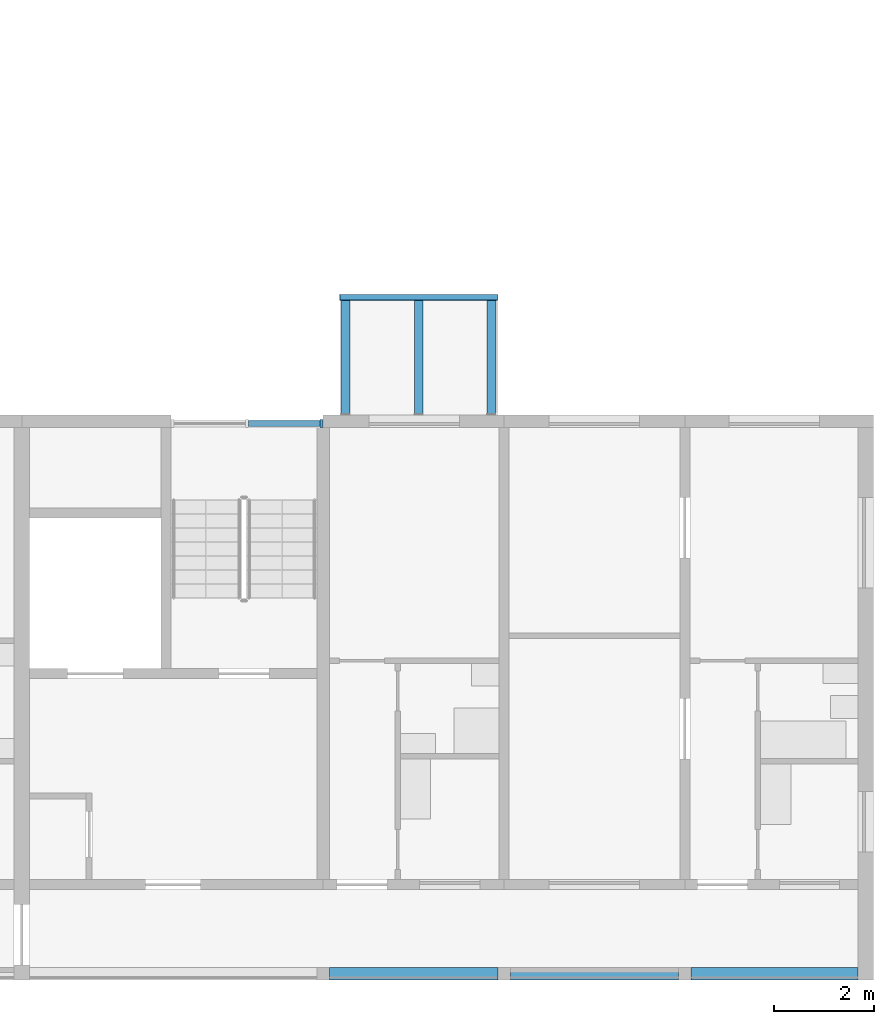
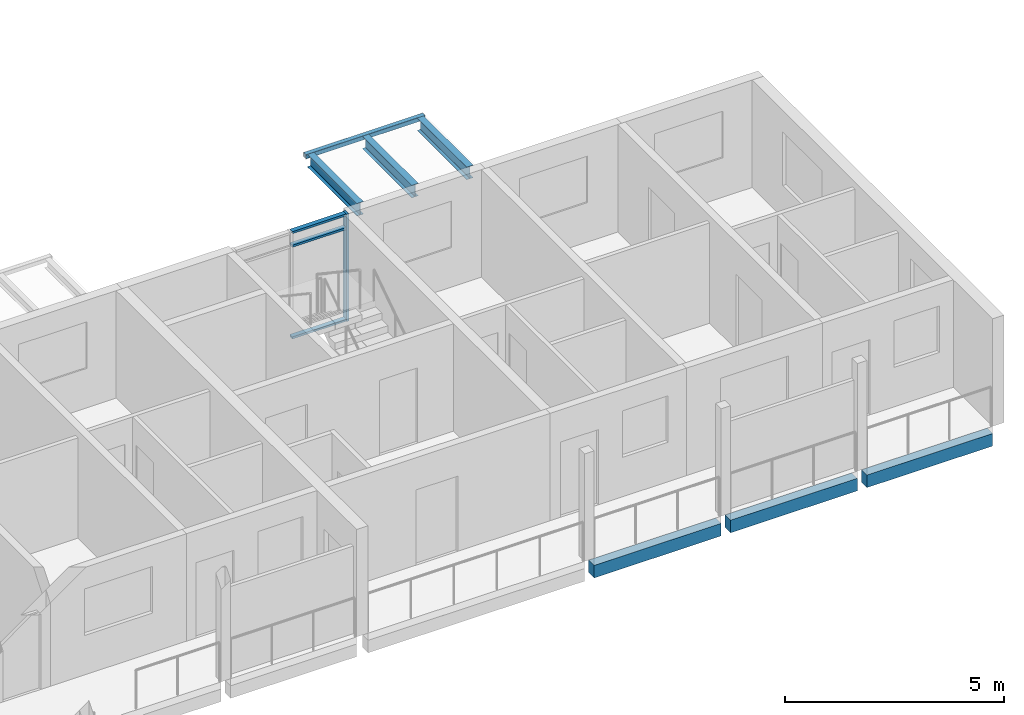
# One storey, part 20 of 94: 7 beams, 4 members, 1 element without a shape of its own.
"""IFC4 building model written with IfcOpenShell, lengths in metres."""

from ifc_helpers import new_model, si_unit, direction, frame, origin, origin_2d, place, context, subcontext, project, spatial, rectangle, hollow_rectangle, i_section, extrude, material, material_profile, profile_set, type_object, element, aggregate, save


model = new_model("IFC4")

# Units and contexts
model_context = context("Model", 3, precision=1e-05, world=origin(), true_north=direction((0.0, 1.0)))
body_context = subcontext(model_context, "Body", "Model", "MODEL_VIEW")
ifc_project = project(units=[si_unit("LENGTHUNIT", "METRE"), si_unit("AREAUNIT", "SQUARE_METRE"), si_unit("VOLUMEUNIT", "CUBIC_METRE"), si_unit("PLANEANGLEUNIT", "RADIAN"), si_unit("MASSUNIT", "GRAM", prefix="KILO")], contexts=[model_context])

# Site, building, storey
site_placement = place(None, origin())
site = spatial("IfcSite", under=ifc_project, at=site_placement, CompositionType="ELEMENT")
building_placement = place(site_placement, origin())
building = spatial("IfcBuilding", under=site, at=building_placement, Name="Ridgestep Commons", CompositionType="ELEMENT")
storey_placement = place(building_placement, frame((0.0, 0.0, 24.0)))
storey = spatial("IfcBuildingStorey", under=building, at=storey_placement, Name="L08", CompositionType="ELEMENT", Elevation=24.0)

# Beams
ifc_material_1 = material(Name="Precast concrete C40/50", Category="concrete")
ifc_material_profile_1 = material_profile(ifc_material_1, rectangle(XDim=0.25, YDim=0.35009765625, at=origin_2d()), Name="PC 250x350")
ifc_profile_set_1 = profile_set([ifc_material_profile_1], Name="Precast concrete C40/50")
beam_type_1 = type_object("IfcBeamType", Name="Loggia edge beam 250 x 350", PredefinedType="SPANDREL", material=ifc_profile_set_1)
beam_1_placement = place(storey_placement, frame((236.925048828125, 11.875, -0.375), z_axis=(1.0, 0.0, 0.0), x_axis=(0.0, 1.0, 0.0)))
element("IfcBeam", 1, at=beam_1_placement, inside=storey, type_object=beam_type_1, Name="Loggia edge beam D6T3 L08", PredefinedType="SPANDREL", context=body_context, shape_type="SweptSolid", body=[
    extrude(rectangle(XDim=0.25, YDim=0.35009765625, at=origin_2d()), origin(), (0.0, 0.0, 1.0), 3.349853515625),
])
beam_2_placement = place(storey_placement, frame((240.52490234375, 11.875, -0.375), z_axis=(1.0, 0.0, 0.0), x_axis=(0.0, 1.0, 0.0)))
element("IfcBeam", 2, at=beam_2_placement, inside=storey, type_object=beam_type_1, Name="Loggia edge beam D6T2 L08", PredefinedType="SPANDREL", context=body_context, shape_type="SweptSolid", body=[
    extrude(rectangle(XDim=0.25, YDim=0.35009765625, at=origin_2d()), origin(), (0.0, 0.0, 1.0), 3.35009765625),
])
beam_3_placement = place(storey_placement, frame((244.125, 11.875, -0.375), z_axis=(1.0, 0.0, 0.0), x_axis=(0.0, 1.0, 0.0)))
element("IfcBeam", 3, at=beam_3_placement, inside=storey, type_object=beam_type_1, Name="Loggia edge beam D6T1 L08", PredefinedType="SPANDREL", context=body_context, shape_type="SweptSolid", body=[
    extrude(rectangle(XDim=0.25, YDim=0.35009765625, at=origin_2d()), origin(), (0.0, 0.0, 1.0), 3.324951171875),
])

# Curtain wall, members
ifc_material_2 = material(Name="Aluminium 6063-T6 and glass", Category="aluminium")
curtain_wall_type = type_object("IfcCurtainWallType", Name="Curtain wall stair strip", PredefinedType="NOTDEFINED", material=ifc_material_2)
curtain_wall_placement = place(storey_placement, origin())
curtain_wall = element("IfcCurtainWall", 4, at=curtain_wall_placement, inside=storey, type_object=curtain_wall_type, Name="Curtain wall D6C level 08", PredefinedType="NOTDEFINED")
ifc_material_3 = material(Name="Aluminium 6063-T6", Category="aluminium")
ifc_material_profile_2 = material_profile(ifc_material_3, rectangle(XDim=0.159912109375, YDim=0.06005859375, at=origin_2d()), Name="Mullion 60 x 160")
ifc_profile_set_2 = profile_set([ifc_material_profile_2], Name="Aluminium 6063-T6")
member_type_1 = type_object("IfcMemberType", Name="Mullion 60 x 160", PredefinedType="MULLION", material=ifc_profile_set_2)
member_1_placement = place(storey_placement, frame((236.77001953125, 22.830078125, 0.0), z_axis=(0.0, 0.0, 1.0), x_axis=(0.0, 1.0, 0.0)))
member_1 = element("IfcMember", 5, at=member_1_placement, type_object=member_type_1, Name="CW1 mullion 3", PredefinedType="MULLION", context=body_context, shape_type="SweptSolid", body=[
    extrude(rectangle(XDim=0.159912109375, YDim=0.06005859375, at=origin_2d()), origin(), (0.0, 0.0, 1.0), 3.0),
])
ifc_material_4 = material(Name="Aluminium 6063-T6", Category="aluminium")
ifc_material_profile_3 = material_profile(ifc_material_4, rectangle(XDim=0.1201171875, YDim=0.06005859375, at=origin_2d()), Name="Transom 60 x 120")
ifc_profile_set_3 = profile_set([ifc_material_profile_3], Name="Aluminium 6063-T6")
member_type_2 = type_object("IfcMemberType", Name="Transom 60 x 120", PredefinedType="USERDEFINED", material=ifc_profile_set_3)
member_2_placement = place(storey_placement, frame((235.3173828125, 22.830078125, 0.030029296875), z_axis=(1.0, 0.0, 0.0), x_axis=(0.0, 1.0, 0.0)))
member_2 = element("IfcMember", 6, at=member_2_placement, type_object=member_type_2, Name="CW1 transom 2.1", ObjectType="TRANSOM", PredefinedType="USERDEFINED", context=body_context, shape_type="SweptSolid", body=[
    extrude(rectangle(XDim=0.1201171875, YDim=0.06005859375, at=origin_2d()), origin(), (0.0, 0.0, 1.0), 1.422607421875),
])
member_3_placement = place(storey_placement, frame((235.3173828125, 22.830078125, 2.590087890625), z_axis=(1.0, 0.0, 0.0), x_axis=(0.0, 1.0, 0.0)))
member_3 = element("IfcMember", 7, at=member_3_placement, type_object=member_type_2, Name="CW1 transom 2.2", ObjectType="TRANSOM", PredefinedType="USERDEFINED", context=body_context, shape_type="SweptSolid", body=[
    extrude(rectangle(XDim=0.1201171875, YDim=0.06005859375, at=origin_2d()), origin(), (0.0, 0.0, 1.0), 1.422607421875),
])
member_4_placement = place(storey_placement, frame((235.3173828125, 22.830078125, 2.969970703125), z_axis=(1.0, 0.0, 0.0), x_axis=(0.0, 1.0, 0.0)))
member_4 = element("IfcMember", 8, at=member_4_placement, type_object=member_type_2, Name="CW1 transom 2.3", ObjectType="TRANSOM", PredefinedType="USERDEFINED", context=body_context, shape_type="SweptSolid", body=[
    extrude(rectangle(XDim=0.1201171875, YDim=0.06005859375, at=origin_2d()), origin(), (0.0, 0.0, 1.0), 1.422607421875),
])
aggregate(curtain_wall, [member_1, member_2, member_3, member_4])

# Beams
ifc_material_5 = material(Name="Weathering steel S355J2W", Category="steel")
ifc_material_profile_4 = material_profile(ifc_material_5, i_section(OverallWidth=0.171142578125, OverallDepth=0.351318359375, WebThickness=0.007080078125, FlangeThickness=0.009765625, FilletRadius=0.01025390625, at=origin_2d()), Name="UB 356x171x45")
ifc_profile_set_4 = profile_set([ifc_material_profile_4], Name="Weathering steel S355J2W")
beam_type_2 = type_object("IfcBeamType", Name="Tray arm UB 356x171x45", PredefinedType="BEAM", material=ifc_profile_set_4)
for number, where, z_axis, x_axis, name in (
    (9, (237.25, 23.014892578125, 2.814208984375), (0.0, 1.0, 0.0), (-1.0, 0.0, 0.0), "Tray arm D6T3-09.1"),
    (10, (238.699951171875, 23.014892578125, 2.814208984375), (0.0, 1.0, 0.0), (-1.0, 0.0, 0.0), "Tray arm D6T3-09.2"),
    (11, (240.14990234375, 23.014892578125, 2.814208984375), (0.0, 1.0, 0.0), (-1.0, 0.0, 0.0), "Tray arm D6T3-09.3"),
):
    element("IfcBeam", number, at=place(storey_placement, frame(where, z_axis=z_axis, x_axis=x_axis)), inside=storey, type_object=beam_type_2, Name=name, PredefinedType="BEAM", context=body_context, shape_type="SweptSolid", body=[
        extrude(i_section(OverallWidth=0.171142578125, OverallDepth=0.351318359375, WebThickness=0.007080078125, FlangeThickness=0.009765625, FilletRadius=0.01025390625, at=origin_2d()), origin(), (0.0, 0.0, 1.0), 2.26513671875),
    ])
ifc_material_6 = material(Name="Weathering steel S355J2W", Category="steel")
ifc_material_profile_5 = material_profile(ifc_material_6, hollow_rectangle(XDim=0.1201171875, YDim=0.1201171875, WallThickness=0.00634765625, InnerFilletRadius=0.00634765625, OuterFilletRadius=0.009521484375, at=origin_2d()), Name="SHS 120x120x6.3")
ifc_profile_set_5 = profile_set([ifc_material_profile_5], Name="Weathering steel S355J2W")
beam_type_3 = type_object("IfcBeamType", Name="Tray edge member SHS 120x120x6.3", PredefinedType="BEAM", material=ifc_profile_set_5)
beam_4_placement = place(storey_placement, frame((237.1298828125, 25.340087890625, 2.929931640625), z_axis=(1.0, 0.0, 0.0), x_axis=(0.0, 0.0, 1.0)))
element("IfcBeam", 12, at=beam_4_placement, inside=storey, type_object=beam_type_3, Name="Tray edge member D6T3-09", PredefinedType="BEAM", context=body_context, shape_type="SweptSolid", body=[
    extrude(hollow_rectangle(XDim=0.1201171875, YDim=0.1201171875, WallThickness=0.00634765625, InnerFilletRadius=0.00634765625, OuterFilletRadius=0.009521484375, at=origin_2d()), origin(), (0.0, 0.0, 1.0), 3.14013671875),
])

save(model, "model.ifc")
